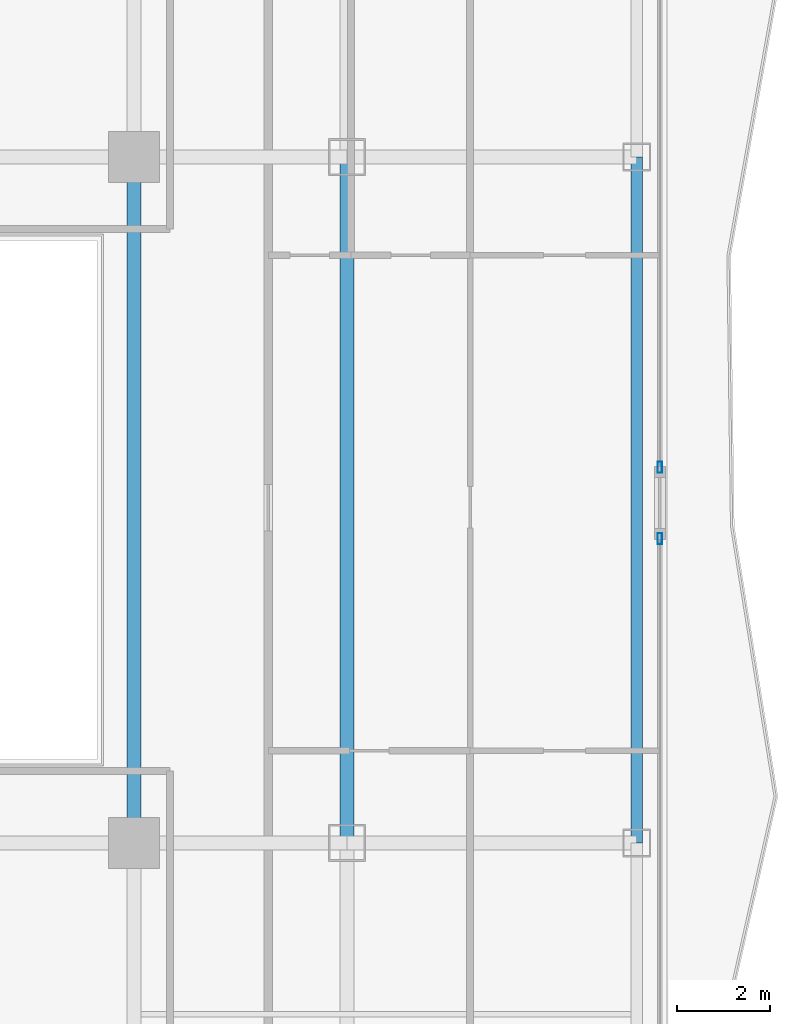
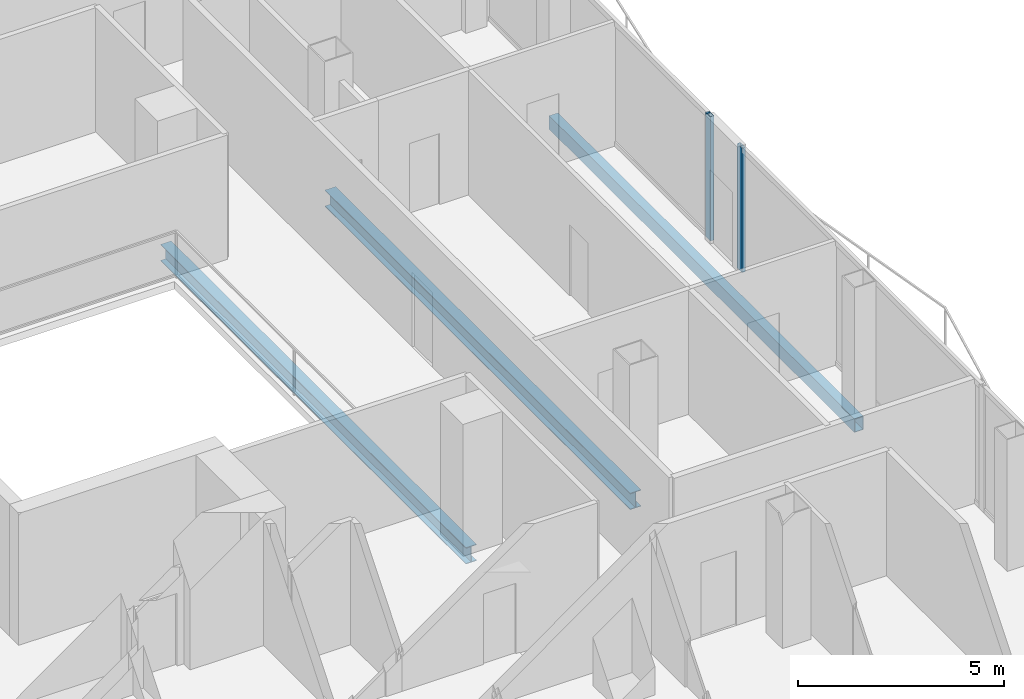
# One storey, part 12 of 26: 3 beams, 2 members, 2 elements without a shape of their own.
"""IFC4 building model written with IfcOpenShell, lengths in metres."""

from ifc_helpers import new_model, si_unit, direction, frame, origin, origin_2d, place, context, subcontext, project, spatial, hollow_rectangle, i_section, extrude, material, layer, layer_set, material_profile, profile_set, type_object, element, aggregate, save


model = new_model("IFC4")

# Units and contexts
model_context = context("Model", 3, precision=1e-05, world=origin(), true_north=direction((0.0, 1.0)))
body_context = subcontext(model_context, "Body", "Model", "MODEL_VIEW")
ifc_project = project(units=[si_unit("LENGTHUNIT", "METRE"), si_unit("AREAUNIT", "SQUARE_METRE"), si_unit("VOLUMEUNIT", "CUBIC_METRE"), si_unit("PLANEANGLEUNIT", "RADIAN"), si_unit("MASSUNIT", "GRAM", prefix="KILO")], contexts=[model_context])

# Site, building, storey
site_placement = place(None, origin())
site = spatial("IfcSite", under=ifc_project, at=site_placement, CompositionType="ELEMENT")
building_placement = place(site_placement, origin())
building = spatial("IfcBuilding", under=site, at=building_placement, Name="Khorvyn Point Tower", CompositionType="ELEMENT")
storey_placement = place(building_placement, frame((0.0, 0.0, 223.5)))
storey = spatial("IfcBuildingStorey", under=building, at=storey_placement, Name="L55", CompositionType="ELEMENT", Elevation=223.5)

# Curtain wall, member
ifc_material_1 = material(Name="Anodised aluminium 6063-T6 and laminated Low-E glass", Category="aluminium")
ifc_layer = layer(ifc_material_1, 0.18994140625)
ifc_layer_set = layer_set([ifc_layer], Name="Stick-Built Acoustic Curtain Wall CW-SYS-03")
curtain_wall_type = type_object("IfcCurtainWallType", Name="Stick-Built Acoustic Curtain Wall CW-SYS-03", PredefinedType="NOTDEFINED", material=ifc_layer_set)
curtain_wall_1_placement = place(storey_placement, origin())
curtain_wall_1 = element("IfcCurtainWall", 1, at=curtain_wall_1_placement, inside=storey, type_object=curtain_wall_type, Name="Curtain Wall", PredefinedType="NOTDEFINED")
ifc_material_2 = material(Name="Anodised aluminium 6063-T6", Category="aluminium")
ifc_material_profile_1 = material_profile(ifc_material_2, hollow_rectangle(XDim=0.10009765625, YDim=0.239990234375, WallThickness=0.0048828125, at=origin_2d()))
ifc_profile_set_1 = profile_set([ifc_material_profile_1], Name="Anodised aluminium 6063-T6 ALU-MUL-100x240")
member_type = type_object("IfcMemberType", Name="Anodised Aluminium 6063-T6 Mullion ALU-MUL-100x240", PredefinedType="MULLION", material=ifc_profile_set_1)
member_1_placement = place(storey_placement, frame((26.14990234375, 0.705078125, 0.0), z_axis=(0.0, 0.0, 1.0), x_axis=(1.0, 0.0, 0.0)))
member_1 = element("IfcMember", 2, at=member_1_placement, type_object=member_type, Name="Transom", PredefinedType="MULLION", context=body_context, shape_type="SweptSolid", body=[
    extrude(hollow_rectangle(XDim=0.10009765625, YDim=0.239990234375, WallThickness=0.0048828125, at=origin_2d()), origin(), (0.0, 0.0, 1.0), 3.679931640625),
])
aggregate(curtain_wall_1, [member_1])

curtain_wall_2_placement = place(storey_placement, origin())
curtain_wall_2 = element("IfcCurtainWall", 3, at=curtain_wall_2_placement, inside=storey, type_object=curtain_wall_type, Name="Curtain Wall", PredefinedType="NOTDEFINED")
member_2_placement = place(storey_placement, frame((26.14990234375, -0.8349609375, 0.0), z_axis=(0.0, 0.0, 1.0), x_axis=(1.0, 0.0, 0.0)))
member_2 = element("IfcMember", 4, at=member_2_placement, type_object=member_type, Name="Transom", PredefinedType="MULLION", context=body_context, shape_type="SweptSolid", body=[
    extrude(hollow_rectangle(XDim=0.10009765625, YDim=0.239990234375, WallThickness=0.0048828125, at=origin_2d()), origin(), (0.0, 0.0, 1.0), 3.679931640625),
])
aggregate(curtain_wall_2, [member_2])

# Beams
ifc_material_3 = material(Name="Steel S355", Category="steel")
ifc_material_profile_2 = material_profile(ifc_material_3, i_section(OverallWidth=0.300048828125, OverallDepth=0.488037109375, WebThickness=0.010986328125, FlangeThickness=0.01806640625, at=origin_2d()))
ifc_profile_set_2 = profile_set([ifc_material_profile_2], Name="Steel S355 H488x300x11x18")
beam_type_1 = type_object("IfcBeamType", Name="Steel S355 Spandrel H488x300x11x18", PredefinedType="SPANDREL", material=ifc_profile_set_2)
for number, where, z_axis, x_axis, name in (
    (5, (14.800048828125, -7.39990234375, -0.464111328125), (0.0, 1.0, 0.0), (-1.0, 0.0, 0.0), "Beam"),
    (6, (19.39990234375, -7.39990234375, -0.464111328125), (0.0, 1.0, 0.0), (-1.0, 0.0, 0.0), "Beam"),
):
    element("IfcBeam", number, at=place(storey_placement, frame(where, z_axis=z_axis, x_axis=x_axis)), inside=storey, type_object=beam_type_1, Name=name, PredefinedType="SPANDREL", context=body_context, shape_type="SweptSolid", body=[
        extrude(i_section(OverallWidth=0.300048828125, OverallDepth=0.488037109375, WebThickness=0.010986328125, FlangeThickness=0.01806640625, at=origin_2d()), origin(), (0.0, 0.0, 1.0), 14.7998046875),
    ])
ifc_material_profile_3 = material_profile(ifc_material_3, hollow_rectangle(XDim=0.25, YDim=0.39990234375, WallThickness=0.01611328125, at=origin_2d()))
ifc_profile_set_3 = profile_set([ifc_material_profile_3], Name="Steel S355 RHS400x250x16")
beam_type_2 = type_object("IfcBeamType", Name="Steel S355 Spandrel RHS400x250x16", PredefinedType="SPANDREL", material=ifc_profile_set_3)
beam_placement = place(storey_placement, frame((25.64990234375, -7.39990234375, -0.419921875), z_axis=(0.0, 1.0, 0.0), x_axis=(-1.0, 0.0, 0.0)))
element("IfcBeam", 7, at=beam_placement, inside=storey, type_object=beam_type_2, Name="Beam", PredefinedType="SPANDREL", context=body_context, shape_type="SweptSolid", body=[
    extrude(hollow_rectangle(XDim=0.25, YDim=0.39990234375, WallThickness=0.01611328125, at=origin_2d()), origin(), (0.0, 0.0, 1.0), 14.7998046875),
])

save(model, "model.ifc")
